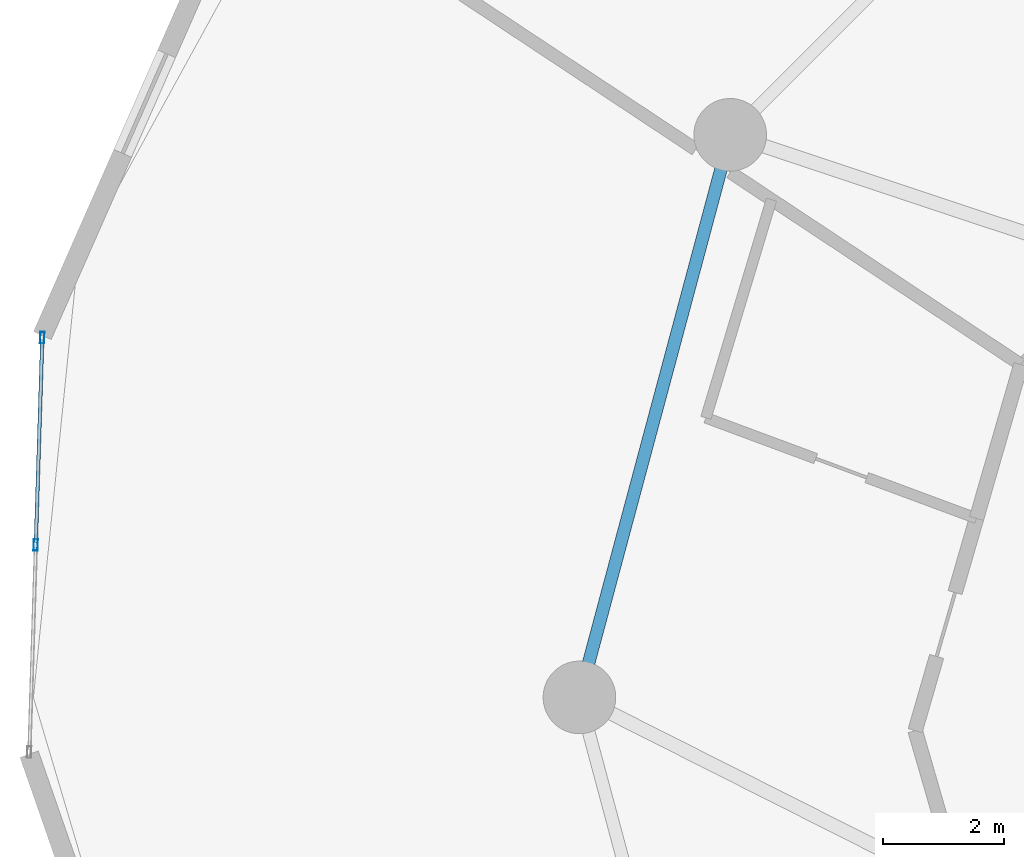
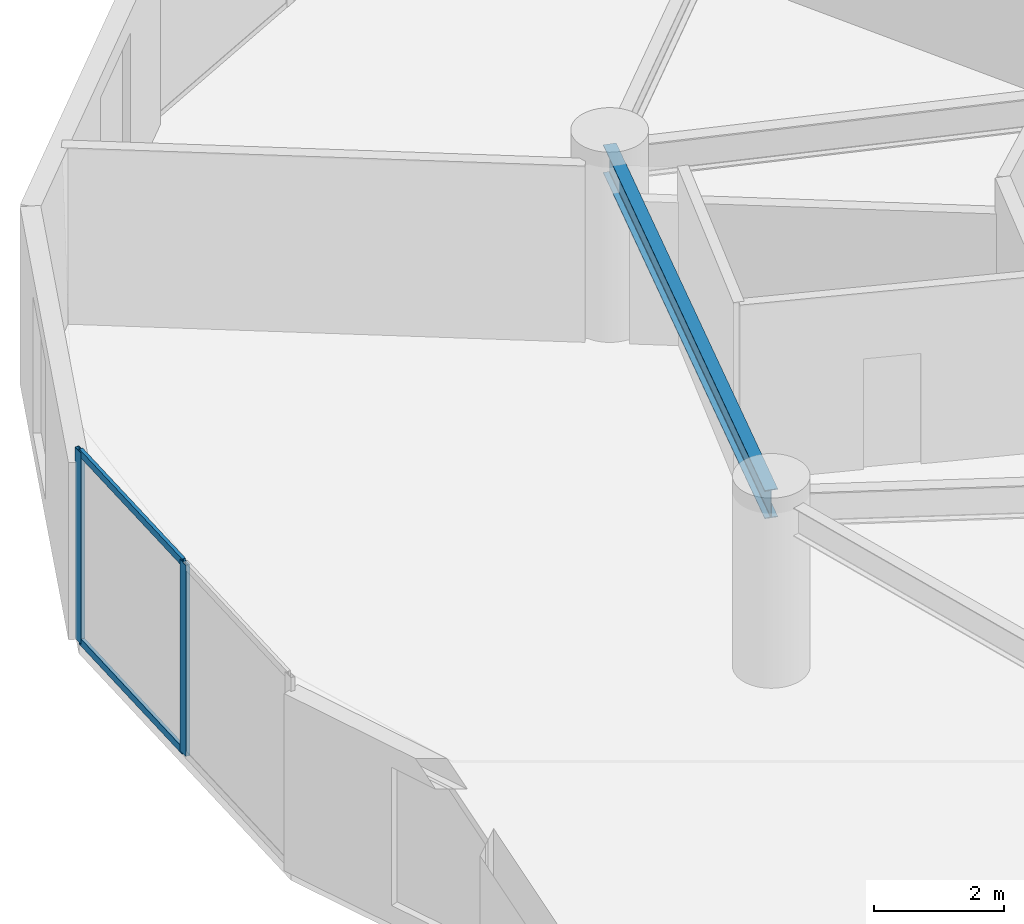
# One storey, part 8 of 22: 4 members, 1 beam, 1 element without a shape of its own.
"""IFC4 building model written with IfcOpenShell, lengths in metres."""

import ifcopenshell
import ifcopenshell.guid

model = None  # the IFC model being written
_history = None  # IfcOwnerHistory: only IFC2X3 demands one
_inside = {}  # id of a spatial element -> (the spatial element, [elements in it])
_under = {}  # id of a project, library or spatial element -> (it, [spatial elements below it])
_declared = {}  # id of a project -> (the project, [libraries it declares])
_typed = {}  # id of a type object -> (the type object, [elements of that type])
_made_of = {}  # id of a material, layer set ... -> (it, [elements and type objects made of it])


def new_model(schema):
    """Start an empty IFC model of exactly this schema.

    Asked for "IFC4X3", IfcOpenShell would pick the latest addendum, in which some entities
    have other attributes; the version numbers below select the first issue.
    IFC2X3 requires an IfcOwnerHistory on every rooted entity: one is made here for all.
    """
    global model, _history
    if schema == "IFC4X3":
        model = ifcopenshell.file(schema_version=(4, 3, 0, 0))
    else:
        model = ifcopenshell.file(schema=schema)
    _inside.clear()
    _under.clear()
    _declared.clear()
    _typed.clear()
    _made_of.clear()
    _history = None
    if model.schema == "IFC2X3":
        org = make("IfcOrganization", Name="unknown")
        user = make(
            "IfcPersonAndOrganization",
            ThePerson=make("IfcPerson", FamilyName="unknown"),
            TheOrganization=org,
        )
        app = make(
            "IfcApplication",
            ApplicationDeveloper=org,
            Version="unknown",
            ApplicationFullName="unknown",
            ApplicationIdentifier="unknown",
        )
        _history = make(
            "IfcOwnerHistory",
            OwningUser=user,
            OwningApplication=app,
            ChangeAction="ADDED",
            CreationDate=0,
        )
    return model


def make(cls, **values):
    """One entity of the class cls with the attributes given. An attribute that is None is left unset."""
    return model.create_entity(
        cls, **{name: value for name, value in values.items() if value is not None}
    )


def rooted(cls, **values):
    """An entity with a GlobalId (a new one), such as an element, a storey or a relation."""
    return make(cls, GlobalId=ifcopenshell.guid.new(), OwnerHistory=_history, **values)


def si_unit(unit_type, name, prefix=None):
    """IfcSIUnit, for example si_unit("LENGTHUNIT", "METRE", prefix="MILLI")."""
    return make("IfcSIUnit", UnitType=unit_type, Prefix=prefix, Name=name)


def assignment(units):
    """IfcUnitAssignment: the units of a project."""
    return None if units is None else make("IfcUnitAssignment", Units=units)


def point(xyz):
    """IfcCartesianPoint."""
    return None if xyz is None else make("IfcCartesianPoint", Coordinates=xyz)


def direction(xyz):
    """IfcDirection."""
    return None if xyz is None else make("IfcDirection", DirectionRatios=xyz)


def frame(location, z_axis=None, x_axis=None):
    """IfcAxis2Placement3D, a coordinate frame: its origin and axes. An axis left out is left unset."""
    return make(
        "IfcAxis2Placement3D",
        Location=point(location),
        Axis=direction(z_axis),
        RefDirection=direction(x_axis),
    )


def frame_2d(location, x_axis=None):
    """IfcAxis2Placement2D, a coordinate frame in the plane: its origin and x axis."""
    return make(
        "IfcAxis2Placement2D", Location=point(location), RefDirection=direction(x_axis)
    )


def origin():
    """The frame at (0, 0, 0) with its axes left unset."""
    return frame((0.0, 0.0, 0.0))


def origin_2d():
    """The frame at (0, 0) in the plane with its x axis left unset."""
    return frame_2d((0.0, 0.0))


def place(relative_to, where):
    """IfcLocalPlacement: puts the frame where relative to a parent placement (None: the world)."""
    return make(
        "IfcLocalPlacement", PlacementRelTo=relative_to, RelativePlacement=where
    )


def context(
    kind, dimensions, precision=None, world=None, true_north=None, identifier=None
):
    """IfcGeometricRepresentationContext, for example the 3D "Model" context."""
    return make(
        "IfcGeometricRepresentationContext",
        ContextIdentifier=identifier,
        ContextType=kind,
        CoordinateSpaceDimension=dimensions,
        Precision=precision,
        WorldCoordinateSystem=world,
        TrueNorth=true_north,
    )


def subcontext(parent, identifier, kind, view, scale=None):
    """IfcGeometricRepresentationSubContext, for example "Body" below "Model"."""
    return make(
        "IfcGeometricRepresentationSubContext",
        ContextIdentifier=identifier,
        ContextType=kind,
        ParentContext=parent,
        TargetScale=scale,
        TargetView=view,
    )


def project(units=None, contexts=None):
    """IfcProject with its units and contexts."""
    return rooted(
        "IfcProject",
        Name="project",
        RepresentationContexts=contexts,
        UnitsInContext=assignment(units),
    )


def spatial(cls, under=None, at=None, **own):
    """A site, building, storey or space (cls), placed at a placement, below another one or the project."""
    s = rooted(cls, ObjectPlacement=at, **own)
    if under is not None:
        _under.setdefault(under.id(), (under, []))[1].append(s)
    return s


def profile(cls, at=None, kind="AREA", **sizes):
    """A parametric profile (cls). Its sizes go by their IFC names, for example OverallWidth=200.0."""
    return make(cls, ProfileType=kind, Position=at, **sizes)


def hollow_rectangle(**sizes):
    """IfcRectangleHollowProfileDef."""
    return profile("IfcRectangleHollowProfileDef", **sizes)


def i_section(**sizes):
    """IfcIShapeProfileDef."""
    return profile("IfcIShapeProfileDef", **sizes)


def extrude(swept, where, along, depth):
    """IfcExtrudedAreaSolid: the profile swept, set in the frame where, extruded along a direction by depth."""
    return make(
        "IfcExtrudedAreaSolid",
        SweptArea=swept,
        Position=where,
        ExtrudedDirection=direction(along),
        Depth=depth,
    )


def shape(context_of_items, identifier, shape_type, items):
    """IfcShapeRepresentation: the items that make up one representation, for example the "Body"."""
    return make(
        "IfcShapeRepresentation",
        ContextOfItems=context_of_items,
        RepresentationIdentifier=identifier,
        RepresentationType=shape_type,
        Items=items,
    )


def source(mapping_origin, context_of_items, identifier, shape_type, items):
    """IfcRepresentationMap: a shape defined once, which mapped items show again and again."""
    return make(
        "IfcRepresentationMap",
        MappingOrigin=mapping_origin,
        MappedRepresentation=shape(context_of_items, identifier, shape_type, items),
    )


def transform(
    local_origin,
    x_axis=None,
    y_axis=None,
    z_axis=None,
    scale=None,
    scale2=None,
    scale3=None,
    uniform=True,
):
    """IfcCartesianTransformationOperator3D, or its non-uniform kind. x_axis, y_axis, z_axis: its Axis1, 2, 3."""
    if uniform:
        return make(
            "IfcCartesianTransformationOperator3D",
            Axis1=direction(x_axis),
            Axis2=direction(y_axis),
            LocalOrigin=point(local_origin),
            Scale=scale,
            Axis3=direction(z_axis),
        )
    return make(
        "IfcCartesianTransformationOperator3DnonUniform",
        Axis1=direction(x_axis),
        Axis2=direction(y_axis),
        LocalOrigin=point(local_origin),
        Scale=scale,
        Axis3=direction(z_axis),
        Scale2=scale2,
        Scale3=scale3,
    )


def mapped(mapping_source, mapping_target):
    """IfcMappedItem: shows the shape of a source again, moved by a transform."""
    return make(
        "IfcMappedItem", MappingSource=mapping_source, MappingTarget=mapping_target
    )


def material(Name=None, Category=None):
    """IfcMaterial."""
    return make("IfcMaterial", Name=Name, Category=Category)


def layer(
    of_material, thickness, ventilated=None, Name=None, Category=None, Priority=None
):
    """IfcMaterialLayer: one layer of a wall or slab, of a material (None: an air gap)."""
    return make(
        "IfcMaterialLayer",
        Material=of_material,
        LayerThickness=thickness,
        IsVentilated=ventilated,
        Name=Name,
        Category=Category,
        Priority=Priority,
    )


def layer_set(layers, Name=None):
    """IfcMaterialLayerSet."""
    return make("IfcMaterialLayerSet", MaterialLayers=layers, LayerSetName=Name)


def material_profile(
    of_material, cross_section, Name=None, Category=None, Priority=None
):
    """IfcMaterialProfile: a cross section and its material."""
    return make(
        "IfcMaterialProfile",
        Name=Name,
        Material=of_material,
        Profile=cross_section,
        Priority=Priority,
        Category=Category,
    )


def profile_set(profiles, Name=None, composite=None):
    """IfcMaterialProfileSet."""
    return make(
        "IfcMaterialProfileSet",
        Name=Name,
        MaterialProfiles=profiles,
        CompositeProfile=composite,
    )


def made_of(thing, what):
    """Note that an element or type object is made of a material, layer set ...; save() writes the relation."""
    if what is not None:
        _made_of.setdefault(what.id(), (what, []))[1].append(thing)
    return thing


def type_object(cls, material=None, **own):
    """A type object (cls), such as IfcWallType, which elements share."""
    return made_of(rooted(cls, **own), material)


def element(
    cls,
    number,
    at=None,
    inside=None,
    cuts=None,
    type_object=None,
    material=None,
    context=None,
    identifier="Body",
    shape_type=None,
    held_by="IfcProductDefinitionShape",
    body=None,
    shapes=None,
    **own,
):
    """One element of the class cls, such as IfcWall. Its Tag is "e" and its number.

    at: its placement. inside: the storey or other place that contains it. cuts: it is an
    opening in that element (IfcRelVoidsElement). A single representation is given by context,
    identifier, shape_type and body (its items); several are given by shapes. held_by: the class
    of the entity that holds the representations. save() writes the other relations.
    """
    e = rooted(cls, Tag="e%d" % number, ObjectPlacement=at, **own)
    if body is not None:
        shapes = [shape(context, identifier, shape_type, body)]
    if shapes is not None:
        e.Representation = make(held_by, Representations=shapes)
    if inside is not None:
        _inside.setdefault(inside.id(), (inside, []))[1].append(e)
    if cuts is not None:
        rooted(
            "IfcRelVoidsElement", RelatingBuildingElement=cuts, RelatedOpeningElement=e
        )
    if type_object is not None:
        _typed.setdefault(type_object.id(), (type_object, []))[1].append(e)
    return made_of(e, material)


def aggregate(whole, parts):
    """IfcRelAggregates: a whole, such as a stair, and the parts it consists of."""
    return rooted("IfcRelAggregates", RelatingObject=whole, RelatedObjects=parts)


def save(model, path):
    """Write the relations noted so far, then the file.

    IfcRelAggregates (storeys below a building ...), IfcRelContainedInSpatialStructure (elements
    in a storey), IfcRelDefinesByType, IfcRelAssociatesMaterial and IfcRelDeclares: one each for
    every whole, place, type object, material and project.
    """
    for whole, parts in _under.values():
        aggregate(whole, parts)
    for where, things in _inside.values():
        rooted(
            "IfcRelContainedInSpatialStructure",
            RelatedElements=things,
            RelatingStructure=where,
        )
    for kind, things in _typed.values():
        rooted("IfcRelDefinesByType", RelatedObjects=things, RelatingType=kind)
    for what, things in _made_of.values():
        rooted("IfcRelAssociatesMaterial", RelatedObjects=things, RelatingMaterial=what)
    for by, libraries in _declared.values():
        rooted("IfcRelDeclares", RelatingContext=by, RelatedDefinitions=libraries)
    model.write(path)


model = new_model("IFC4")

# Units and contexts
model_context = context("Model", 3, precision=1e-05, world=origin(), true_north=direction((0.0, 1.0)))
body_context = subcontext(model_context, "Body", "Model", "MODEL_VIEW")
ifc_project = project(units=[si_unit("LENGTHUNIT", "METRE"), si_unit("AREAUNIT", "SQUARE_METRE"), si_unit("VOLUMEUNIT", "CUBIC_METRE"), si_unit("PLANEANGLEUNIT", "RADIAN"), si_unit("MASSUNIT", "GRAM", prefix="KILO")], contexts=[model_context])

# Site, building, storey
site_placement = place(None, origin())
site = spatial("IfcSite", under=ifc_project, at=site_placement, CompositionType="ELEMENT")
building_placement = place(site_placement, origin())
building = spatial("IfcBuilding", under=site, at=building_placement, Name="Solvirekh Grand Hotel", CompositionType="ELEMENT")
storey_placement = place(building_placement, frame((0.0, 0.0, 53.60009765625)))
storey = spatial("IfcBuildingStorey", under=building, at=storey_placement, Name="L12", CompositionType="ELEMENT", Elevation=53.60009765625)

# Beam
ifc_material_1 = material(Name="Steel S355", Category="steel")
ifc_material_profile_1 = material_profile(ifc_material_1, i_section(OverallWidth=0.208984375, OverallDepth=0.532958984375, WebThickness=0.010009765625, FlangeThickness=0.014892578125, FilletRadius=0.013916015625, at=origin_2d()), Name="W530X92")
ifc_profile_set_1 = profile_set([ifc_material_profile_1], Name="Steel S355")
beam_type = type_object("IfcBeamType", Name="Spandrel_Ring_W530", PredefinedType="SPANDREL", material=ifc_profile_set_1)
beam_placement = place(storey_placement, frame((-16.10791015625, 9.300048828125, 3.072998046875), z_axis=(-0.258842973314, -0.965919414426, 0.0), x_axis=(0.965919414426, -0.258842973314, 0.0)))
element("IfcBeam", 1, at=beam_placement, inside=storey, type_object=beam_type, Name="L12 perimeter spandrel beam 6", PredefinedType="SPANDREL", context=body_context, shape_type="SweptSolid", body=[
    extrude(i_section(OverallWidth=0.208984375, OverallDepth=0.532958984375, WebThickness=0.010009765625, FlangeThickness=0.014892578125, FilletRadius=0.013916015625, at=origin_2d()), origin(), (0.0, 0.0, 1.0), 9.628173828125),
])

# Curtain wall, members
ifc_material_2 = material(Name="Anodized Bronze Aluminium 6063-T6", Category="aluminium")
ifc_layer = layer(ifc_material_2, 0.18994140625)
ifc_layer_set = layer_set([ifc_layer], Name="Anodized Bronze Aluminium 6063-T6")
curtain_wall_type = type_object("IfcCurtainWallType", Name="CW_Sys2_LowZoneFlushBronzeCW", PredefinedType="NOTDEFINED", material=ifc_layer_set)
curtain_wall_placement = place(storey_placement, origin())
curtain_wall = element("IfcCurtainWall", 2, at=curtain_wall_placement, inside=storey, type_object=curtain_wall_type, Name="L12 unitised bronze-glass curtain wall CW-L12-C11", PredefinedType="NOTDEFINED")
ifc_material_profile_2 = material_profile(ifc_material_2, hollow_rectangle(XDim=0.070068359375, YDim=0.18994140625, WallThickness=0.0048828125, at=origin_2d()), Name="ALU RHS 190X70X5")
ifc_profile_set_2 = profile_set([ifc_material_profile_2], Name="Anodized Bronze Aluminium 6063-T6")
member_type_1 = type_object("IfcMemberType", Name="CWMullion_Sys2", PredefinedType="MULLION", material=ifc_profile_set_2)
shared_shape_1 = source(origin(), body_context, "Body", "SweptSolid", [
    extrude(hollow_rectangle(XDim=0.070068359375, YDim=0.18994140625, WallThickness=0.0048828125, at=origin_2d()), origin(), (0.0, 0.0, 1.0), 3.599853515625),
])
member_1_placement = place(storey_placement, frame((-27.47998046875, 5.947021484375, 0.0), z_axis=(0.0, 0.0, 1.0), x_axis=(0.999504439276, -0.03147818083, 0.0)))
member_1 = element("IfcMember", 3, at=member_1_placement, type_object=member_type_1, Name="U02 mullion 1", PredefinedType="MULLION", context=body_context, shape_type="MappedRepresentation", body=[
    mapped(shared_shape_1, transform((0.0, 0.0, 0.0), x_axis=(1.0, 0.0, 0.0), y_axis=(0.0, 1.0, 0.0), z_axis=(0.0, 0.0, 1.0), scale=1.0)),
])
member_2_placement = place(storey_placement, frame((-27.587890625, 2.52099609375, 0.0), z_axis=(0.0, 0.0, 1.0), x_axis=(0.999504439276, -0.03147818083, 0.0)))
member_2 = element("IfcMember", 4, at=member_2_placement, type_object=member_type_1, Name="U02 mullion 2", PredefinedType="MULLION", context=body_context, shape_type="MappedRepresentation", body=[
    mapped(shared_shape_1, transform((0.0, 0.0, 0.0), x_axis=(1.0, 0.0, 0.0), y_axis=(0.0, 1.0, 0.0), z_axis=(0.0, 0.0, 1.0), scale=1.0)),
])
ifc_material_profile_3 = material_profile(ifc_material_2, hollow_rectangle(XDim=0.06005859375, YDim=0.135009765625, WallThickness=0.00390625, at=origin_2d()), Name="ALU RHS 135X60X4")
ifc_profile_set_3 = profile_set([ifc_material_profile_3], Name="Anodized Bronze Aluminium 6063-T6")
member_type_2 = type_object("IfcMemberType", Name="CWTransom_Sys2", PredefinedType="USERDEFINED", material=ifc_profile_set_3)
shared_shape_2 = source(origin(), body_context, "Body", "SweptSolid", [
    extrude(hollow_rectangle(XDim=0.06005859375, YDim=0.135009765625, WallThickness=0.00390625, at=origin_2d()), origin(), (0.0, 0.0, 1.0), 3.35791015625),
])
member_3_placement = place(storey_placement, frame((-27.481201171875, 5.912109375, 0.02978515625), z_axis=(-0.031482168315, -0.999504313687, 0.0), x_axis=(0.999504313687, -0.031482168315, 0.0)))
member_3 = element("IfcMember", 5, at=member_3_placement, type_object=member_type_2, Name="U02 transom 1.1", ObjectType="TRANSOM", PredefinedType="USERDEFINED", context=body_context, shape_type="MappedRepresentation", body=[
    mapped(shared_shape_2, transform((0.0, 0.0, 0.0), x_axis=(1.0, 0.0, 0.0), y_axis=(0.0, 1.0, 0.0), z_axis=(0.0, 0.0, 1.0), scale=1.0)),
])
member_4_placement = place(storey_placement, frame((-27.481201171875, 5.912109375, 3.56982421875), z_axis=(-0.031482168315, -0.999504313687, 0.0), x_axis=(0.999504313687, -0.031482168315, 0.0)))
member_4 = element("IfcMember", 6, at=member_4_placement, type_object=member_type_2, Name="U02 transom 1.2", ObjectType="TRANSOM", PredefinedType="USERDEFINED", context=body_context, shape_type="MappedRepresentation", body=[
    mapped(shared_shape_2, transform((0.0, 0.0, 0.0), x_axis=(1.0, 0.0, 0.0), y_axis=(0.0, 1.0, 0.0), z_axis=(0.0, 0.0, 1.0), scale=1.0)),
])
aggregate(curtain_wall, [member_1, member_2, member_3, member_4])

save(model, "model.ifc")
